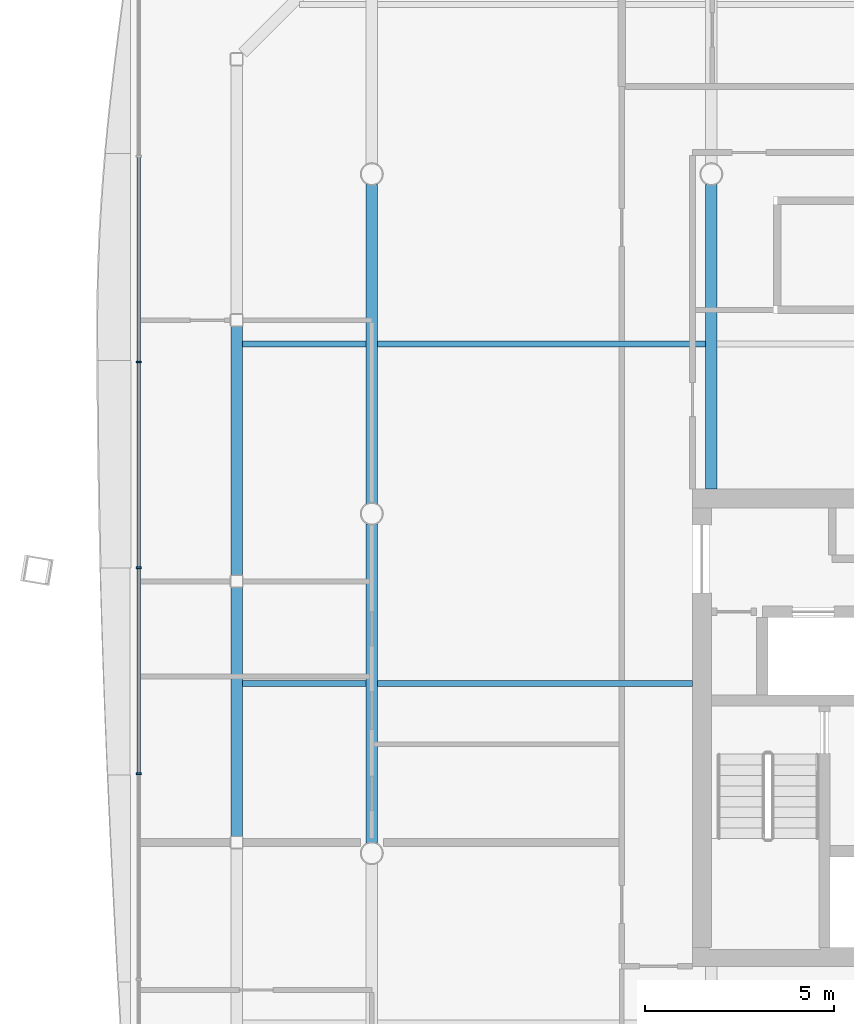
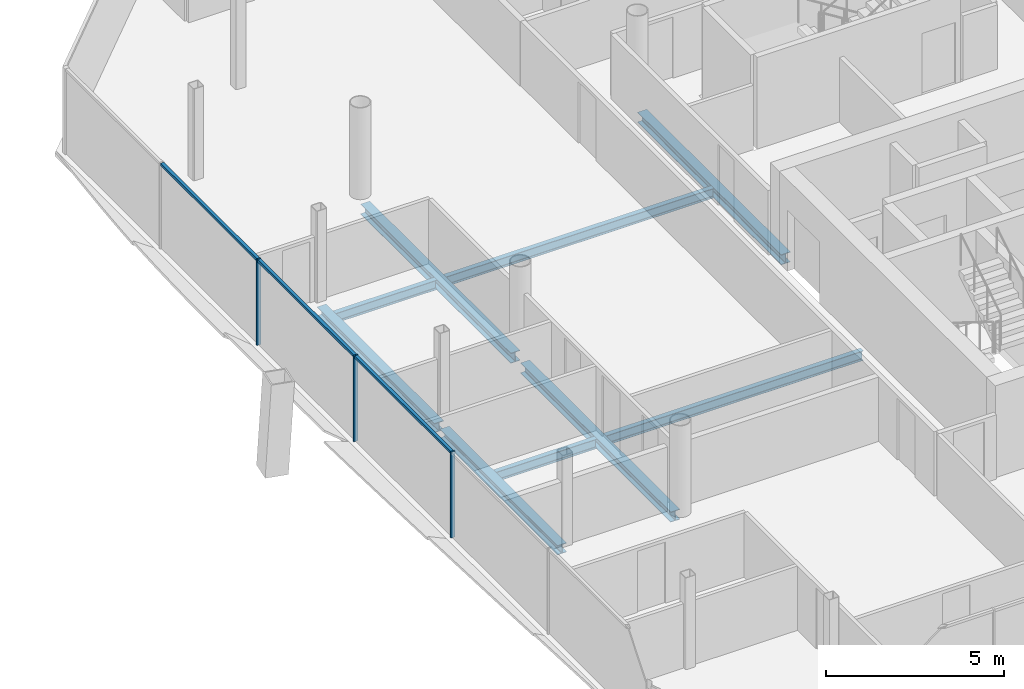
# One storey, part 6 of 20: 9 beams, 6 members, 1 element without a shape of its own.
"""IFC4 building model written with IfcOpenShell, lengths in metres."""

from ifc_helpers import new_model, si_unit, direction, frame, origin, origin_2d, place, context, subcontext, project, spatial, rectangle, i_section, extrude, material, material_profile, profile_set, type_object, element, aggregate, save


model = new_model("IFC4")

# Units and contexts
model_context = context("Model", 3, precision=1e-05, world=origin(), true_north=direction((0.0, 1.0)))
body_context = subcontext(model_context, "Body", "Model", "MODEL_VIEW")
ifc_project = project(units=[si_unit("LENGTHUNIT", "METRE"), si_unit("AREAUNIT", "SQUARE_METRE"), si_unit("VOLUMEUNIT", "CUBIC_METRE"), si_unit("PLANEANGLEUNIT", "RADIAN"), si_unit("MASSUNIT", "GRAM", prefix="KILO")], contexts=[model_context])

# Site, building, storey
site_placement = place(None, origin())
site = spatial("IfcSite", under=ifc_project, at=site_placement, CompositionType="ELEMENT")
building_placement = place(site_placement, origin())
building = spatial("IfcBuilding", under=site, at=building_placement, Name="Tskaro Facet Tower", CompositionType="ELEMENT")
storey_placement = place(building_placement, frame((0.0, 0.0, 178.5)))
storey = spatial("IfcBuildingStorey", under=building, at=storey_placement, Name="L44", CompositionType="ELEMENT", Elevation=178.5)

# Curtain wall, members
ifc_material_1 = material(Name="Bronze anodised aluminium 6063-T6", Category="aluminium")
curtain_wall_type = type_object("IfcCurtainWallType", Name="Bronze residence curtain wall (FW3)", PredefinedType="NOTDEFINED", material=ifc_material_1)
curtain_wall_placement = place(storey_placement, origin())
curtain_wall = element("IfcCurtainWall", 1, at=curtain_wall_placement, inside=storey, type_object=curtain_wall_type, Name="FW3 west facet L44", PredefinedType="NOTDEFINED")
ifc_material_profile_1 = material_profile(ifc_material_1, rectangle(XDim=0.050048828125, YDim=0.139892578125, at=origin_2d()), Name="Mullion 50x140")
ifc_profile_set_1 = profile_set([ifc_material_profile_1], Name="Bronze anodised aluminium 6063-T6")
member_type_1 = type_object("IfcMemberType", Name="FW3 bronze mullion 50x140", PredefinedType="MULLION", material=ifc_profile_set_1)
member_1_placement = place(storey_placement, frame((-24.176025390625, 4.020751953125, 0.0), z_axis=(0.0, 0.0, 1.0), x_axis=(0.0, -1.0, 0.0)))
member_1 = element("IfcMember", 2, at=member_1_placement, type_object=member_type_1, Name="FW3 west mullion 2", PredefinedType="MULLION", context=body_context, shape_type="SweptSolid", body=[
    extrude(rectangle(XDim=0.050048828125, YDim=0.139892578125, at=origin_2d()), origin(), (0.0, 0.0, 1.0), 2.949951171875),
])
member_2_placement = place(storey_placement, frame((-24.176025390625, -1.4345703125, 0.0), z_axis=(0.0, 0.0, 1.0), x_axis=(0.0, -1.0, 0.0)))
member_2 = element("IfcMember", 3, at=member_2_placement, type_object=member_type_1, Name="FW3 west mullion 3", PredefinedType="MULLION", context=body_context, shape_type="SweptSolid", body=[
    extrude(rectangle(XDim=0.050048828125, YDim=0.139892578125, at=origin_2d()), origin(), (0.0, 0.0, 1.0), 2.949951171875),
])
member_3_placement = place(storey_placement, frame((-24.176025390625, -6.8896484375, 0.0), z_axis=(0.0, 0.0, 1.0), x_axis=(0.0, -1.0, 0.0)))
member_3 = element("IfcMember", 4, at=member_3_placement, type_object=member_type_1, Name="FW3 west mullion 4", PredefinedType="MULLION", context=body_context, shape_type="SweptSolid", body=[
    extrude(rectangle(XDim=0.050048828125, YDim=0.139892578125, at=origin_2d()), origin(), (0.0, 0.0, 1.0), 2.949951171875),
])
ifc_material_profile_2 = material_profile(ifc_material_1, rectangle(XDim=0.10009765625, YDim=0.090087890625, at=origin_2d()), Name="Transom 100x90")
ifc_profile_set_2 = profile_set([ifc_material_profile_2], Name="Bronze anodised aluminium 6063-T6")
member_type_2 = type_object("IfcMemberType", Name="FW3 bronze transom 100x90", PredefinedType="USERDEFINED", material=ifc_profile_set_2)
member_4_placement = place(storey_placement, frame((-24.176025390625, 9.450927734375, 2.905029296875), z_axis=(0.0, -1.0, 0.0), x_axis=(1.0, 0.0, 0.0)))
member_4 = element("IfcMember", 5, at=member_4_placement, type_object=member_type_2, Name="FW3 west transom 2.1", ObjectType="TRANSOM", PredefinedType="USERDEFINED", context=body_context, shape_type="SweptSolid", body=[
    extrude(rectangle(XDim=0.10009765625, YDim=0.090087890625, at=origin_2d()), origin(), (0.0, 0.0, 1.0), 5.4052734375),
])
member_5_placement = place(storey_placement, frame((-24.176025390625, 3.99560546875, 2.905029296875), z_axis=(0.0, -1.0, 0.0), x_axis=(1.0, 0.0, 0.0)))
member_5 = element("IfcMember", 6, at=member_5_placement, type_object=member_type_2, Name="FW3 west transom 3.1", ObjectType="TRANSOM", PredefinedType="USERDEFINED", context=body_context, shape_type="SweptSolid", body=[
    extrude(rectangle(XDim=0.10009765625, YDim=0.090087890625, at=origin_2d()), origin(), (0.0, 0.0, 1.0), 5.405029296875),
])
member_6_placement = place(storey_placement, frame((-24.176025390625, -1.45947265625, 2.905029296875), z_axis=(0.0, -1.0, 0.0), x_axis=(1.0, 0.0, 0.0)))
member_6 = element("IfcMember", 7, at=member_6_placement, type_object=member_type_2, Name="FW3 west transom 4.1", ObjectType="TRANSOM", PredefinedType="USERDEFINED", context=body_context, shape_type="SweptSolid", body=[
    extrude(rectangle(XDim=0.10009765625, YDim=0.090087890625, at=origin_2d()), origin(), (0.0, 0.0, 1.0), 5.4052734375),
])
aggregate(curtain_wall, [member_1, member_2, member_3, member_4, member_5, member_6])

# Beams
ifc_material_2 = material(Name="Steel S355J2", Category="steel")
ifc_material_profile_3 = material_profile(ifc_material_2, i_section(OverallWidth=0.300048828125, OverallDepth=0.320068359375, WebThickness=0.011474609375, FlangeThickness=0.0205078125, FilletRadius=0.027099609375, at=origin_2d()), Name="HE 320 B")
ifc_profile_set_3 = profile_set([ifc_material_profile_3], Name="Steel S355J2")
beam_type_1 = type_object("IfcBeamType", Name="HE 320 B ring beam", PredefinedType="BEAM", material=ifc_profile_set_3)
beam_1_placement = place(storey_placement, frame((-21.5830078125, 4.970947265625, -0.300048828125), z_axis=(0.0, -1.0, 0.0), x_axis=(1.0, 0.0, 0.0)))
element("IfcBeam", 8, at=beam_1_placement, inside=storey, type_object=beam_type_1, Name="HE 320 B EB18-4", PredefinedType="BEAM", context=body_context, shape_type="SweptSolid", body=[
    extrude(i_section(OverallWidth=0.300048828125, OverallDepth=0.320068359375, WebThickness=0.011474609375, FlangeThickness=0.0205078125, FilletRadius=0.027099609375, at=origin_2d()), origin(), (0.0, 0.0, 1.0), 6.60888671875),
])
beam_2_placement = place(storey_placement, frame((-21.5830078125, -1.947998046875, -0.300048828125), z_axis=(0.0, -1.0, 0.0), x_axis=(1.0, 0.0, 0.0)))
element("IfcBeam", 9, at=beam_2_placement, inside=storey, type_object=beam_type_1, Name="HE 320 B EB19-4", PredefinedType="BEAM", context=body_context, shape_type="SweptSolid", body=[
    extrude(i_section(OverallWidth=0.300048828125, OverallDepth=0.320068359375, WebThickness=0.011474609375, FlangeThickness=0.0205078125, FilletRadius=0.027099609375, at=origin_2d()), origin(), (0.0, 0.0, 1.0), 6.610107421875),
])
ifc_material_profile_4 = material_profile(ifc_material_2, i_section(OverallWidth=0.300048828125, OverallDepth=0.35009765625, WebThickness=0.010009765625, FlangeThickness=0.017578125, FilletRadius=0.027099609375, at=origin_2d()), Name="HE 360 A")
ifc_profile_set_4 = profile_set([ifc_material_profile_4], Name="Steel S355J2")
beam_type_2 = type_object("IfcBeamType", Name="HE 360 A girder", PredefinedType="BEAM", material=ifc_profile_set_4)
for number, where, z_axis, x_axis, name in (
    (10, (-18.0, -8.72509765625, -0.31494140625), (0.0, 1.0, 0.0), (-1.0, 0.0, 0.0), "HE 360 A GB2-2-4"),
    (11, (-18.0, 0.27490234375, -0.31494140625), (0.0, 1.0, 0.0), (-1.0, 0.0, 0.0), "HE 360 A GB2-3-4"),
):
    element("IfcBeam", number, at=place(storey_placement, frame(where, z_axis=z_axis, x_axis=x_axis)), inside=storey, type_object=beam_type_2, Name=name, PredefinedType="BEAM", context=body_context, shape_type="SweptSolid", body=[
        extrude(i_section(OverallWidth=0.300048828125, OverallDepth=0.35009765625, WebThickness=0.010009765625, FlangeThickness=0.017578125, FilletRadius=0.027099609375, at=origin_2d()), origin(), (0.0, 0.0, 1.0), 8.4501953125),
    ])
beam_3_placement = place(storey_placement, frame((-9.0, 0.64990234375, -0.31494140625), z_axis=(0.0, 1.0, 0.0), x_axis=(-1.0, 0.0, 0.0)))
element("IfcBeam", 12, at=beam_3_placement, inside=storey, type_object=beam_type_2, Name="HE 360 A GB3-2-4", PredefinedType="BEAM", context=body_context, shape_type="SweptSolid", body=[
    extrude(i_section(OverallWidth=0.300048828125, OverallDepth=0.35009765625, WebThickness=0.010009765625, FlangeThickness=0.017578125, FilletRadius=0.027099609375, at=origin_2d()), origin(), (0.0, 0.0, 1.0), 8.0751953125),
])
ifc_material_profile_5 = material_profile(ifc_material_2, i_section(OverallWidth=0.159912109375, OverallDepth=0.330078125, WebThickness=0.007568359375, FlangeThickness=0.011474609375, FilletRadius=0.01806640625, at=origin_2d()), Name="IPE 330")
ifc_profile_set_5 = profile_set([ifc_material_profile_5], Name="Steel S355J2")
beam_type_3 = type_object("IfcBeamType", Name="IPE 330 secondary beam", PredefinedType="BEAM", material=ifc_profile_set_5)
beam_4_placement = place(storey_placement, frame((-21.43310546875, -4.5, -0.304931640625), z_axis=(1.0, 0.0, 0.0), x_axis=(0.0, 1.0, 0.0)))
element("IfcBeam", 13, at=beam_4_placement, inside=storey, type_object=beam_type_3, Name="IPE 330 SB3a-1-4", PredefinedType="BEAM", context=body_context, shape_type="SweptSolid", body=[
    extrude(i_section(OverallWidth=0.159912109375, OverallDepth=0.330078125, WebThickness=0.007568359375, FlangeThickness=0.011474609375, FilletRadius=0.01806640625, at=origin_2d()), origin(), (0.0, 0.0, 1.0), 3.283203125),
])
beam_5_placement = place(storey_placement, frame((-17.85009765625, -4.5, -0.304931640625), z_axis=(1.0, 0.0, 0.0), x_axis=(0.0, 1.0, 0.0)))
element("IfcBeam", 14, at=beam_5_placement, inside=storey, type_object=beam_type_3, Name="IPE 330 SB3a-2-4", PredefinedType="BEAM", context=body_context, shape_type="SweptSolid", body=[
    extrude(i_section(OverallWidth=0.159912109375, OverallDepth=0.330078125, WebThickness=0.007568359375, FlangeThickness=0.011474609375, FilletRadius=0.01806640625, at=origin_2d()), origin(), (0.0, 0.0, 1.0), 8.35009765625),
])
beam_6_placement = place(storey_placement, frame((-21.43310546875, 4.5, -0.304931640625), z_axis=(1.0, 0.0, 0.0), x_axis=(0.0, 1.0, 0.0)))
element("IfcBeam", 15, at=beam_6_placement, inside=storey, type_object=beam_type_3, Name="IPE 330 SB4a-1-4", PredefinedType="BEAM", context=body_context, shape_type="SweptSolid", body=[
    extrude(i_section(OverallWidth=0.159912109375, OverallDepth=0.330078125, WebThickness=0.007568359375, FlangeThickness=0.011474609375, FilletRadius=0.01806640625, at=origin_2d()), origin(), (0.0, 0.0, 1.0), 3.283203125),
])
beam_7_placement = place(storey_placement, frame((-17.85009765625, 4.5, -0.304931640625), z_axis=(1.0, 0.0, 0.0), x_axis=(0.0, 1.0, 0.0)))
element("IfcBeam", 16, at=beam_7_placement, inside=storey, type_object=beam_type_3, Name="IPE 330 SB4a-2-4", PredefinedType="BEAM", context=body_context, shape_type="SweptSolid", body=[
    extrude(i_section(OverallWidth=0.159912109375, OverallDepth=0.330078125, WebThickness=0.007568359375, FlangeThickness=0.011474609375, FilletRadius=0.01806640625, at=origin_2d()), origin(), (0.0, 0.0, 1.0), 8.7001953125),
])

save(model, "model.ifc")
